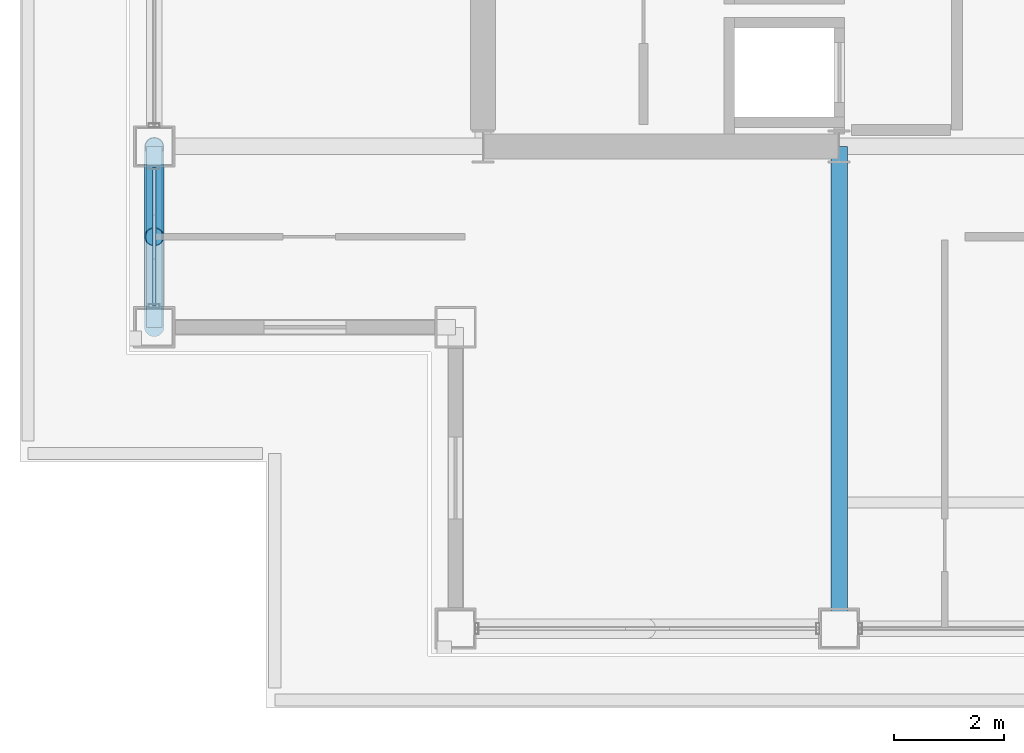
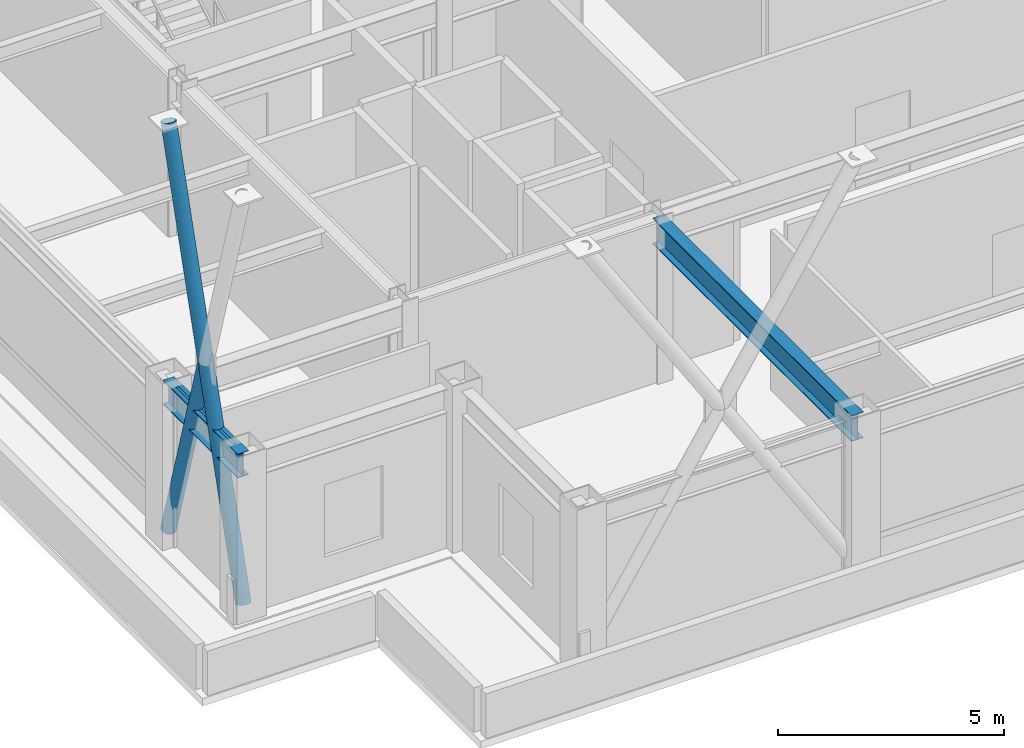
# One storey, part 3 of 24: 3 members, 2 beams, 1 element without a shape of its own.
"""IFC4 building model written with IfcOpenShell, lengths in metres."""

from ifc_helpers import new_model, si_unit, direction, frame, origin, origin_2d, place, context, subcontext, project, spatial, hollow_rectangle, hollow_circle, i_section, extrude, material, layer, layer_set, material_profile, profile_set, type_object, element, aggregate, save


model = new_model("IFC4")

# Units and contexts
model_context = context("Model", 3, precision=1e-05, world=origin(), true_north=direction((0.0, 1.0)))
body_context = subcontext(model_context, "Body", "Model", "MODEL_VIEW")
ifc_project = project(units=[si_unit("LENGTHUNIT", "METRE"), si_unit("AREAUNIT", "SQUARE_METRE"), si_unit("VOLUMEUNIT", "CUBIC_METRE"), si_unit("PLANEANGLEUNIT", "RADIAN"), si_unit("MASSUNIT", "GRAM", prefix="KILO")], contexts=[model_context])

# Site, building, storey
site_placement = place(None, origin())
site = spatial("IfcSite", under=ifc_project, at=site_placement, CompositionType="ELEMENT")
building_placement = place(site_placement, origin())
building = spatial("IfcBuilding", under=site, at=building_placement, Name="Brelmoor Portico Tower", CompositionType="ELEMENT")
storey_placement = place(building_placement, frame((0.0, 0.0, 150.60009765625)))
storey = spatial("IfcBuildingStorey", under=building, at=storey_placement, Name="L39", CompositionType="ELEMENT", Elevation=150.60009765625)

# Beams
ifc_material_1 = material(Name="Steel Q355B", Category="steel")
ifc_material_profile_1 = material_profile(ifc_material_1, i_section(OverallWidth=0.300048828125, OverallDepth=0.699951171875, WebThickness=0.012939453125, FlangeThickness=0.02392578125, at=origin_2d()), Name="HN 700x300x13x24")
ifc_profile_set_1 = profile_set([ifc_material_profile_1], Name="Steel Q355B")
beam_type_1 = type_object("IfcBeamType", Name="BM-PG-700", PredefinedType="BEAM", material=ifc_profile_set_1)
beam_1_placement = place(storey_placement, frame((-8.050048828125, -18.550048828125, 3.949951171875), z_axis=(0.0, 1.0, 0.0), x_axis=(-1.0, 0.0, 0.0)))
element("IfcBeam", 1, at=beam_1_placement, inside=storey, type_object=beam_type_1, Name="L39 Primary Floor Girder PG-03", PredefinedType="BEAM", context=body_context, shape_type="SweptSolid", body=[
    extrude(i_section(OverallWidth=0.300048828125, OverallDepth=0.699951171875, WebThickness=0.012939453125, FlangeThickness=0.02392578125, at=origin_2d()), origin(), (0.0, 0.0, 1.0), 8.800048828125),
])
ifc_material_profile_2 = material_profile(ifc_material_1, i_section(OverallWidth=0.280029296875, OverallDepth=0.64990234375, WebThickness=0.012939453125, FlangeThickness=0.02197265625, at=origin_2d()), Name="HN 650x280x13x22")
ifc_profile_set_2 = profile_set([ifc_material_profile_2], Name="Steel Q355B")
beam_type_2 = type_object("IfcBeamType", Name="BM-SP-650", PredefinedType="SPANDREL", material=ifc_profile_set_2)
beam_2_placement = place(storey_placement, frame((-20.550048828125, -13.050048828125, 3.974853515625), z_axis=(0.0, 1.0, 0.0), x_axis=(-1.0, 0.0, 0.0)))
element("IfcBeam", 2, at=beam_2_placement, inside=storey, type_object=beam_type_2, Name="L39 Perimeter Spandrel Beam SP-11", PredefinedType="SPANDREL", context=body_context, shape_type="SweptSolid", body=[
    extrude(i_section(OverallWidth=0.280029296875, OverallDepth=0.64990234375, WebThickness=0.012939453125, FlangeThickness=0.02197265625, at=origin_2d()), origin(), (0.0, 0.0, 1.0), 3.300048828125),
])

# Members
ifc_material_profile_3 = material_profile(ifc_material_1, hollow_circle(Radius=0.177978515625, WallThickness=0.01611328125, at=origin_2d()), Name="CHS 356x16")
ifc_profile_set_3 = profile_set([ifc_material_profile_3], Name="Steel Q355B")
member_type_1 = type_object("IfcMemberType", Name="MB-BELT-DIAG2", PredefinedType="BRACE", material=ifc_profile_set_3)
member_1_placement = place(storey_placement, frame((-20.550048828125, -13.050048828125, 0.25), z_axis=(0.0, 0.287351786215, 0.957825115018), x_axis=(-1.0, 0.0, 0.0)))
element("IfcMember", 3, at=member_1_placement, inside=storey, type_object=member_type_1, Name="L39 Continuous Mega-X Brace 087A", PredefinedType="BRACE", context=body_context, shape_type="SweptSolid", body=[
    extrude(hollow_circle(Radius=0.177978515625, WallThickness=0.01611328125, at=origin_2d()), origin(), (0.0, 0.0, 1.0), 11.484375),
])
member_2_placement = place(storey_placement, frame((-20.550048828125, -9.75, 0.25), z_axis=(0.0, -0.287332282829, 0.957830965904), x_axis=(1.0, 0.0, 0.0)))
element("IfcMember", 4, at=member_2_placement, inside=storey, type_object=member_type_1, Name="L39 Split Mega-X Brace 087B1", PredefinedType="BRACE", context=body_context, shape_type="SweptSolid", body=[
    extrude(hollow_circle(Radius=0.177978515625, WallThickness=0.01611328125, at=origin_2d()), origin(), (0.0, 0.0, 1.0), 5.7421875),
])

# Curtain wall, member
ifc_material_2 = material(Name="Anodised Aluminium Alloy 6063-T6", Category="aluminium")
ifc_layer = layer(ifc_material_2, 0.179931640625)
ifc_layer_set = layer_set([ifc_layer], Name="Anodised Aluminium Alloy 6063-T6")
curtain_wall_type = type_object("IfcCurtainWallType", Name="CW-SKYLOBBY-XB", PredefinedType="NOTDEFINED", material=ifc_layer_set)
curtain_wall_placement = place(storey_placement, origin())
curtain_wall = element("IfcCurtainWall", 5, at=curtain_wall_placement, inside=storey, type_object=curtain_wall_type, Name="L39 Curtain Wall CW-L39-03-1", PredefinedType="NOTDEFINED")
ifc_material_profile_4 = material_profile(ifc_material_2, hollow_rectangle(XDim=0.070068359375, YDim=0.159912109375, WallThickness=0.00390625, at=origin_2d()), Name="ALU TRANSOM 70x160")
ifc_profile_set_4 = profile_set([ifc_material_profile_4], Name="Anodised Aluminium Alloy 6063-T6")
member_type_2 = type_object("IfcMemberType", Name="MB-CW-TRAN-160", PredefinedType="USERDEFINED", material=ifc_profile_set_4)
member_3_placement = place(storey_placement, frame((-20.550048828125, -12.6650390625, 4.219970703125), z_axis=(0.0, 1.0, 0.0), x_axis=(-1.0, 0.0, 0.0)))
member_3 = element("IfcMember", 6, at=member_3_placement, type_object=member_type_2, Name="CW-L39-03-1 Transom 1-00", ObjectType="TRANSOM", PredefinedType="USERDEFINED", context=body_context, shape_type="SweptSolid", body=[
    extrude(hollow_rectangle(XDim=0.070068359375, YDim=0.159912109375, WallThickness=0.00390625, at=origin_2d()), origin(), (0.0, 0.0, 1.0), 2.530029296875),
])
aggregate(curtain_wall, [member_3])

save(model, "model.ifc")
